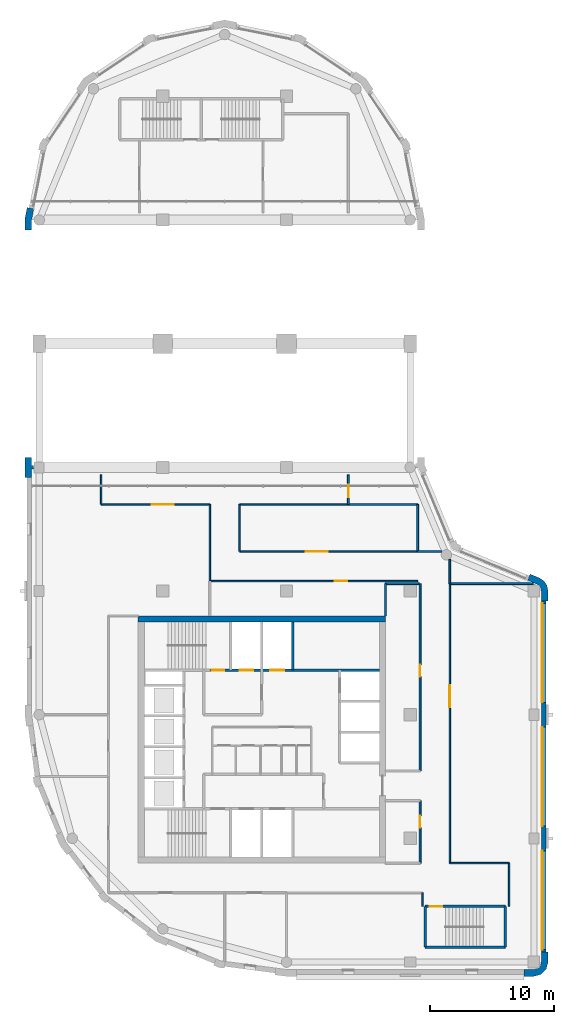
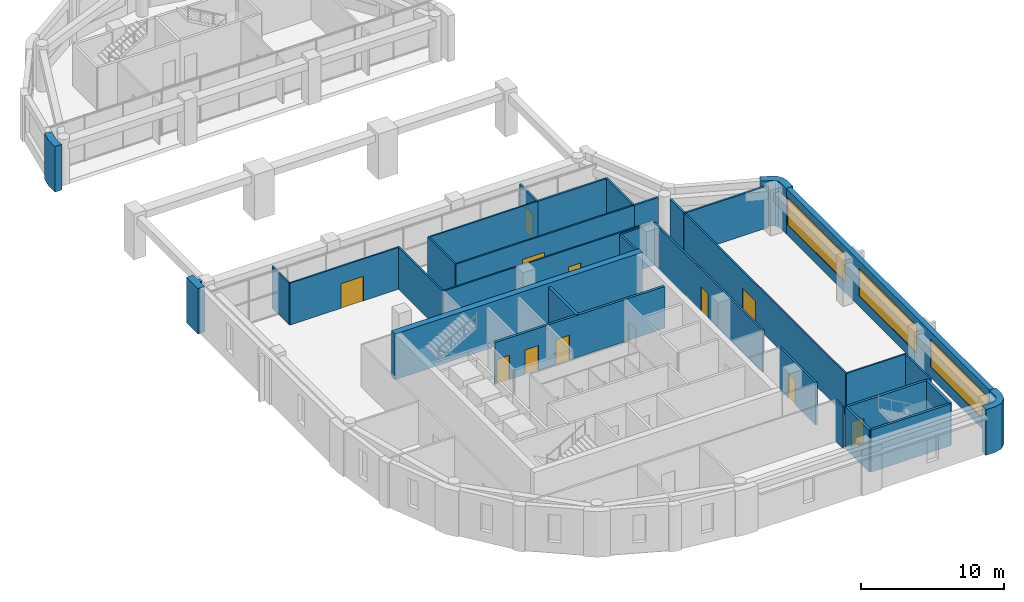
# One storey, part 7 of 11: 33 walls, 11 doors, 3 windows, 14 openings.
"""IFC4 building model written with IfcOpenShell, lengths in metres."""

import ifcopenshell
import ifcopenshell.guid

model = None  # the IFC model being written
_history = None  # IfcOwnerHistory: only IFC2X3 demands one
_inside = {}  # id of a spatial element -> (the spatial element, [elements in it])
_under = {}  # id of a project, library or spatial element -> (it, [spatial elements below it])
_declared = {}  # id of a project -> (the project, [libraries it declares])
_typed = {}  # id of a type object -> (the type object, [elements of that type])
_made_of = {}  # id of a material, layer set ... -> (it, [elements and type objects made of it])


def new_model(schema):
    """Start an empty IFC model of exactly this schema.

    Asked for "IFC4X3", IfcOpenShell would pick the latest addendum, in which some entities
    have other attributes; the version numbers below select the first issue.
    IFC2X3 requires an IfcOwnerHistory on every rooted entity: one is made here for all.
    """
    global model, _history
    if schema == "IFC4X3":
        model = ifcopenshell.file(schema_version=(4, 3, 0, 0))
    else:
        model = ifcopenshell.file(schema=schema)
    _inside.clear()
    _under.clear()
    _declared.clear()
    _typed.clear()
    _made_of.clear()
    _history = None
    if model.schema == "IFC2X3":
        org = make("IfcOrganization", Name="unknown")
        user = make(
            "IfcPersonAndOrganization",
            ThePerson=make("IfcPerson", FamilyName="unknown"),
            TheOrganization=org,
        )
        app = make(
            "IfcApplication",
            ApplicationDeveloper=org,
            Version="unknown",
            ApplicationFullName="unknown",
            ApplicationIdentifier="unknown",
        )
        _history = make(
            "IfcOwnerHistory",
            OwningUser=user,
            OwningApplication=app,
            ChangeAction="ADDED",
            CreationDate=0,
        )
    return model


def make(cls, **values):
    """One entity of the class cls with the attributes given. An attribute that is None is left unset."""
    return model.create_entity(
        cls, **{name: value for name, value in values.items() if value is not None}
    )


def rooted(cls, **values):
    """An entity with a GlobalId (a new one), such as an element, a storey or a relation."""
    return make(cls, GlobalId=ifcopenshell.guid.new(), OwnerHistory=_history, **values)


def si_unit(unit_type, name, prefix=None):
    """IfcSIUnit, for example si_unit("LENGTHUNIT", "METRE", prefix="MILLI")."""
    return make("IfcSIUnit", UnitType=unit_type, Prefix=prefix, Name=name)


def assignment(units):
    """IfcUnitAssignment: the units of a project."""
    return None if units is None else make("IfcUnitAssignment", Units=units)


def point(xyz):
    """IfcCartesianPoint."""
    return None if xyz is None else make("IfcCartesianPoint", Coordinates=xyz)


def direction(xyz):
    """IfcDirection."""
    return None if xyz is None else make("IfcDirection", DirectionRatios=xyz)


def frame(location, z_axis=None, x_axis=None):
    """IfcAxis2Placement3D, a coordinate frame: its origin and axes. An axis left out is left unset."""
    return make(
        "IfcAxis2Placement3D",
        Location=point(location),
        Axis=direction(z_axis),
        RefDirection=direction(x_axis),
    )


def frame_2d(location, x_axis=None):
    """IfcAxis2Placement2D, a coordinate frame in the plane: its origin and x axis."""
    return make(
        "IfcAxis2Placement2D", Location=point(location), RefDirection=direction(x_axis)
    )


def origin():
    """The frame at (0, 0, 0) with its axes left unset."""
    return frame((0.0, 0.0, 0.0))


def place(relative_to, where):
    """IfcLocalPlacement: puts the frame where relative to a parent placement (None: the world)."""
    return make(
        "IfcLocalPlacement", PlacementRelTo=relative_to, RelativePlacement=where
    )


def context(
    kind, dimensions, precision=None, world=None, true_north=None, identifier=None
):
    """IfcGeometricRepresentationContext, for example the 3D "Model" context."""
    return make(
        "IfcGeometricRepresentationContext",
        ContextIdentifier=identifier,
        ContextType=kind,
        CoordinateSpaceDimension=dimensions,
        Precision=precision,
        WorldCoordinateSystem=world,
        TrueNorth=true_north,
    )


def subcontext(parent, identifier, kind, view, scale=None):
    """IfcGeometricRepresentationSubContext, for example "Body" below "Model"."""
    return make(
        "IfcGeometricRepresentationSubContext",
        ContextIdentifier=identifier,
        ContextType=kind,
        ParentContext=parent,
        TargetScale=scale,
        TargetView=view,
    )


def project(units=None, contexts=None):
    """IfcProject with its units and contexts."""
    return rooted(
        "IfcProject",
        Name="project",
        RepresentationContexts=contexts,
        UnitsInContext=assignment(units),
    )


def spatial(cls, under=None, at=None, **own):
    """A site, building, storey or space (cls), placed at a placement, below another one or the project."""
    s = rooted(cls, ObjectPlacement=at, **own)
    if under is not None:
        _under.setdefault(under.id(), (under, []))[1].append(s)
    return s


def polyline(points):
    """IfcPolyline through the points."""
    return make("IfcPolyline", Points=[point(p) for p in points])


def profile(cls, at=None, kind="AREA", **sizes):
    """A parametric profile (cls). Its sizes go by their IFC names, for example OverallWidth=200.0."""
    return make(cls, ProfileType=kind, Position=at, **sizes)


def rectangle(**sizes):
    """IfcRectangleProfileDef."""
    return profile("IfcRectangleProfileDef", **sizes)


def outline(outer, holes=None, kind="AREA"):
    """IfcArbitraryClosedProfileDef: a profile drawn as a closed curve; with holes, ...WithVoids."""
    if holes is None:
        return make("IfcArbitraryClosedProfileDef", ProfileType=kind, OuterCurve=outer)
    return make(
        "IfcArbitraryProfileDefWithVoids",
        ProfileType=kind,
        OuterCurve=outer,
        InnerCurves=holes,
    )


def extrude(swept, where, along, depth):
    """IfcExtrudedAreaSolid: the profile swept, set in the frame where, extruded along a direction by depth."""
    return make(
        "IfcExtrudedAreaSolid",
        SweptArea=swept,
        Position=where,
        ExtrudedDirection=direction(along),
        Depth=depth,
    )


def shape(context_of_items, identifier, shape_type, items):
    """IfcShapeRepresentation: the items that make up one representation, for example the "Body"."""
    return make(
        "IfcShapeRepresentation",
        ContextOfItems=context_of_items,
        RepresentationIdentifier=identifier,
        RepresentationType=shape_type,
        Items=items,
    )


def material(Name=None, Category=None):
    """IfcMaterial."""
    return make("IfcMaterial", Name=Name, Category=Category)


def layer(
    of_material, thickness, ventilated=None, Name=None, Category=None, Priority=None
):
    """IfcMaterialLayer: one layer of a wall or slab, of a material (None: an air gap)."""
    return make(
        "IfcMaterialLayer",
        Material=of_material,
        LayerThickness=thickness,
        IsVentilated=ventilated,
        Name=Name,
        Category=Category,
        Priority=Priority,
    )


def layer_set(layers, Name=None):
    """IfcMaterialLayerSet."""
    return make("IfcMaterialLayerSet", MaterialLayers=layers, LayerSetName=Name)


def made_of(thing, what):
    """Note that an element or type object is made of a material, layer set ...; save() writes the relation."""
    if what is not None:
        _made_of.setdefault(what.id(), (what, []))[1].append(thing)
    return thing


def type_object(cls, material=None, **own):
    """A type object (cls), such as IfcWallType, which elements share."""
    return made_of(rooted(cls, **own), material)


def element(
    cls,
    number,
    at=None,
    inside=None,
    cuts=None,
    type_object=None,
    material=None,
    context=None,
    identifier="Body",
    shape_type=None,
    held_by="IfcProductDefinitionShape",
    body=None,
    shapes=None,
    **own,
):
    """One element of the class cls, such as IfcWall. Its Tag is "e" and its number.

    at: its placement. inside: the storey or other place that contains it. cuts: it is an
    opening in that element (IfcRelVoidsElement). A single representation is given by context,
    identifier, shape_type and body (its items); several are given by shapes. held_by: the class
    of the entity that holds the representations. save() writes the other relations.
    """
    e = rooted(cls, Tag="e%d" % number, ObjectPlacement=at, **own)
    if body is not None:
        shapes = [shape(context, identifier, shape_type, body)]
    if shapes is not None:
        e.Representation = make(held_by, Representations=shapes)
    if inside is not None:
        _inside.setdefault(inside.id(), (inside, []))[1].append(e)
    if cuts is not None:
        rooted(
            "IfcRelVoidsElement", RelatingBuildingElement=cuts, RelatedOpeningElement=e
        )
    if type_object is not None:
        _typed.setdefault(type_object.id(), (type_object, []))[1].append(e)
    return made_of(e, material)


def fill(opening, filler):
    """IfcRelFillsElement: the door or window that sits in an opening."""
    return rooted(
        "IfcRelFillsElement",
        RelatingOpeningElement=opening,
        RelatedBuildingElement=filler,
    )


def aggregate(whole, parts):
    """IfcRelAggregates: a whole, such as a stair, and the parts it consists of."""
    return rooted("IfcRelAggregates", RelatingObject=whole, RelatedObjects=parts)


def save(model, path):
    """Write the relations noted so far, then the file.

    IfcRelAggregates (storeys below a building ...), IfcRelContainedInSpatialStructure (elements
    in a storey), IfcRelDefinesByType, IfcRelAssociatesMaterial and IfcRelDeclares: one each for
    every whole, place, type object, material and project.
    """
    for whole, parts in _under.values():
        aggregate(whole, parts)
    for where, things in _inside.values():
        rooted(
            "IfcRelContainedInSpatialStructure",
            RelatedElements=things,
            RelatingStructure=where,
        )
    for kind, things in _typed.values():
        rooted("IfcRelDefinesByType", RelatedObjects=things, RelatingType=kind)
    for what, things in _made_of.values():
        rooted("IfcRelAssociatesMaterial", RelatedObjects=things, RelatingMaterial=what)
    for by, libraries in _declared.values():
        rooted("IfcRelDeclares", RelatingContext=by, RelatedDefinitions=libraries)
    model.write(path)


model = new_model("IFC4")

# Units and contexts
model_context = context("Model", 3, precision=1e-05, world=origin(), true_north=direction((0.0, 1.0)))
body_context = subcontext(model_context, "Body", "Model", "MODEL_VIEW")
ifc_project = project(units=[si_unit("LENGTHUNIT", "METRE"), si_unit("AREAUNIT", "SQUARE_METRE"), si_unit("VOLUMEUNIT", "CUBIC_METRE"), si_unit("PLANEANGLEUNIT", "RADIAN"), si_unit("MASSUNIT", "GRAM", prefix="KILO")], contexts=[model_context])

# Site, building, storey
site_placement = place(None, origin())
site = spatial("IfcSite", under=ifc_project, at=site_placement, CompositionType="ELEMENT")
building_placement = place(site_placement, origin())
building = spatial("IfcBuilding", under=site, at=building_placement, Name="Qaws Garden Tower", CompositionType="ELEMENT")
storey_placement = place(building_placement, frame((0.0, 0.0, 317.699951171875)))
storey = spatial("IfcBuildingStorey", under=building, at=storey_placement, Name="L77", CompositionType="ELEMENT", Elevation=317.699951171875)

# Walls
ifc_material_1 = material(Name="Clay facing brick masonry", Category="masonry")
ifc_layer_1 = layer(ifc_material_1, 0.550048828125)
ifc_layer_set_1 = layer_set([ifc_layer_1], Name="Clay facing brick masonry")
wall_type_1 = type_object("IfcWallType", Name="Brick corner pier 550 x 2400", PredefinedType="SOLIDWALL", material=ifc_layer_set_1)
placement = place(storey_placement, origin())
element("IfcWall", 1, at=placement, inside=storey, type_object=wall_type_1, Name="E-L77-pier-02", PredefinedType="SOLIDWALL", context=body_context, shape_type="SweptSolid", body=[
    extrude(outline(polyline([(39.199951171875, -1.0), (39.199951171875, -1.14990234375), (40.0, -1.14990234375), (40.574951171875, -0.995849609375), (40.995849609375, -0.574951171875), (41.14990234375, 0.0), (41.14990234375, 0.800048828125), (41.0, 0.800048828125), (40.60009765625, 0.800048828125), (40.60009765625, 0.0), (40.51953125, -0.300048828125), (40.300048828125, -0.51953125), (40.0, -0.60009765625), (39.199951171875, -0.60009765625), (39.199951171875, -1.0)])), origin(), (0.0, 0.0, 1.0), 3.900146484375),
])
element("IfcWall", 2, at=placement, inside=storey, type_object=wall_type_1, Name="E-L77-pier-05", PredefinedType="SOLIDWALL", context=body_context, shape_type="SweptSolid", body=[
    extrude(outline(polyline([(41.0, 29.199951171875), (41.14990234375, 29.199951171875), (41.14990234375, 30.0), (41.0625, 30.440185546875), (40.813232421875, 30.813232421875), (40.440185546875, 31.0625), (39.700927734375, 31.36865234375), (39.6435546875, 31.22998046875), (39.490478515625, 30.860595703125), (40.2294921875, 30.554443359375), (40.42431640625, 30.42431640625), (40.554443359375, 30.2294921875), (40.60009765625, 30.0), (40.60009765625, 29.199951171875), (41.0, 29.199951171875)])), origin(), (0.0, 0.0, 1.0), 3.900146484375),
])

# Wall, openings, windows
ifc_material_2 = material(Name="Clay facing brick masonry", Category="masonry")
ifc_layer_2 = layer(ifc_material_2, 0.39990234375)
ifc_layer_set_2 = layer_set([ifc_layer_2], Name="Clay facing brick masonry")
wall_type_2 = type_object("IfcWallType", Name="Brick infill wall 400", PredefinedType="SOLIDWALL", material=ifc_layer_set_2)
wall_3_placement = place(storey_placement, frame((40.800048828125, 0.800048828125, 0.0), z_axis=(0.0, 0.0, 1.0), x_axis=(0.0, 1.0, 0.0)))
wall_3 = element("IfcWall", 3, at=wall_3_placement, inside=storey, type_object=wall_type_2, Name="E-L77-infill-02", PredefinedType="SOLIDWALL", context=body_context, shape_type="SweptSolid", body=[
    extrude(rectangle(XDim=28.39990234375, YDim=0.39990234375, at=frame_2d((14.199951171875, 0.0))), origin(), (0.0, 0.0, 1.0), 3.900146484375),
])
opening_1_placement = place(wall_3_placement, frame((0.199951171875, 0.0, 0.89990234375)))
opening_1 = element("IfcOpeningElement", 4, at=opening_1_placement, cuts=wall_3, Name="Opening W01", PredefinedType="OPENING", context=body_context, shape_type="SweptSolid", body=[
    extrude(rectangle(XDim=8.0, YDim=2.35009765625, at=frame_2d((4.0, 1.175048828125))), frame((0.0, 0.2099609375, 0.0), z_axis=(0.0, -1.0, 0.0), x_axis=(1.0, 0.0, 0.0)), (0.0, 0.0, 1.0), 0.419921875),
])
opening_2_placement = place(wall_3_placement, frame((10.199951171875, 0.0, 0.89990234375)))
opening_2 = element("IfcOpeningElement", 5, at=opening_2_placement, cuts=wall_3, Name="Opening W01", PredefinedType="OPENING", context=body_context, shape_type="SweptSolid", body=[
    extrude(rectangle(XDim=8.0, YDim=2.35009765625, at=frame_2d((4.0, 1.175048828125))), frame((0.0, 0.2099609375, 0.0), z_axis=(0.0, -1.0, 0.0), x_axis=(1.0, 0.0, 0.0)), (0.0, 0.0, 1.0), 0.419921875),
])
opening_3_placement = place(wall_3_placement, frame((20.199951171875, 0.0, 0.89990234375)))
opening_3 = element("IfcOpeningElement", 6, at=opening_3_placement, cuts=wall_3, Name="Opening W01", PredefinedType="OPENING", context=body_context, shape_type="SweptSolid", body=[
    extrude(rectangle(XDim=8.0, YDim=2.35009765625, at=frame_2d((4.0, 1.175048828125))), frame((0.0, 0.2099609375, 0.0), z_axis=(0.0, -1.0, 0.0), x_axis=(1.0, 0.0, 0.0)), (0.0, 0.0, 1.0), 0.419921875),
])
ifc_material_3 = material(Name="Aluminium framed window, clear glazing", Category="aluminium")
window_type = type_object("IfcWindowType", Name="Ribbon window 8000 x 2350", PartitioningType="DOUBLE_PANEL_VERTICAL", PredefinedType="WINDOW", material=ifc_material_3)
window_1_placement = place(opening_1_placement, origin())
window_1 = element("IfcWindow", 7, at=window_1_placement, inside=storey, type_object=window_type, Name="E-L77-window-02-0", OverallHeight=2.35009765625, OverallWidth=8.0, PartitioningType="SINGLE_PANEL", PredefinedType="WINDOW", context=body_context, shape_type="SweptSolid", body=[
    extrude(rectangle(XDim=8.0, YDim=2.35009765625, at=frame_2d((4.0, 1.175048828125))), frame((0.0, 0.159912109375, 0.0), z_axis=(0.0, -1.0, 0.0), x_axis=(1.0, 0.0, 0.0)), (0.0, 0.0, 1.0), 0.06005859375),
])
fill(opening_1, window_1)
window_2_placement = place(opening_2_placement, origin())
window_2 = element("IfcWindow", 8, at=window_2_placement, inside=storey, type_object=window_type, Name="E-L77-window-03-0", OverallHeight=2.35009765625, OverallWidth=8.0, PartitioningType="SINGLE_PANEL", PredefinedType="WINDOW", context=body_context, shape_type="SweptSolid", body=[
    extrude(rectangle(XDim=8.0, YDim=2.35009765625, at=frame_2d((4.0, 1.175048828125))), frame((0.0, 0.159912109375, 0.0), z_axis=(0.0, -1.0, 0.0), x_axis=(1.0, 0.0, 0.0)), (0.0, 0.0, 1.0), 0.06005859375),
])
fill(opening_2, window_2)
window_3_placement = place(opening_3_placement, origin())
window_3 = element("IfcWindow", 9, at=window_3_placement, inside=storey, type_object=window_type, Name="E-L77-window-04-0", OverallHeight=2.35009765625, OverallWidth=8.0, PartitioningType="SINGLE_PANEL", PredefinedType="WINDOW", context=body_context, shape_type="SweptSolid", body=[
    extrude(rectangle(XDim=8.0, YDim=2.35009765625, at=frame_2d((4.0, 1.175048828125))), frame((0.0, 0.159912109375, 0.0), z_axis=(0.0, -1.0, 0.0), x_axis=(1.0, 0.0, 0.0)), (0.0, 0.0, 1.0), 0.06005859375),
])
fill(opening_3, window_3)

# Walls
ifc_material_4 = material(Name="Clay facing brick masonry", Category="masonry")
ifc_layer_3 = layer(ifc_material_4, 0.550048828125)
ifc_layer_set_3 = layer_set([ifc_layer_3], Name="Clay facing brick masonry")
wall_type_3 = type_object("IfcWallType", Name="Brick pier 550 x 1600", PredefinedType="SOLIDWALL", material=ifc_layer_set_3)
element("IfcWall", 10, at=placement, inside=storey, type_object=wall_type_3, Name="E-L77-pier-17", PredefinedType="SOLIDWALL", context=body_context, shape_type="SweptSolid", body=[
    extrude(outline(polyline([(-0.82470703125, 60.979736328125), (-0.971923828125, 61.009033203125), (-1.14990234375, 60.11328125), (-1.14990234375, 59.199951171875), (-1.0, 59.199951171875), (-0.60009765625, 59.199951171875), (-0.60009765625, 60.05908203125), (-0.432373046875, 60.901611328125), (-0.82470703125, 60.979736328125)])), origin(), (0.0, 0.0, 1.0), 3.900146484375),
])
element("IfcWall", 11, at=placement, inside=storey, type_object=wall_type_3, Name="E-L77-pier-19", PredefinedType="SOLIDWALL", context=body_context, shape_type="SweptSolid", body=[
    extrude(outline(polyline([(-0.60009765625, 39.199951171875), (-0.60009765625, 39.85009765625), (-0.449951171875, 39.85009765625), (-0.449951171875, 40.14990234375), (-0.60009765625, 40.14990234375), (-0.60009765625, 40.800048828125), (-1.0, 40.800048828125), (-1.14990234375, 40.800048828125), (-1.14990234375, 40.0), (-1.14990234375, 39.199951171875), (-1.0, 39.199951171875), (-0.60009765625, 39.199951171875)])), origin(), (0.0, 0.0, 1.0), 3.900146484375),
])
ifc_material_5 = material(Name="Concrete C60", Category="concrete")
ifc_layer_4 = layer(ifc_material_5, 0.199951171875)
ifc_layer_set_4 = layer_set([ifc_layer_4], Name="Concrete C60")
wall_type_4 = type_object("IfcWallType", Name="Core shaft wall 200 C60", PredefinedType="SHEAR", material=ifc_layer_set_4)
wall_6_placement = place(storey_placement, frame((31.199951171875, 1.199951171875, 0.0), z_axis=(0.0, 0.0, 1.0), x_axis=(1.0, 0.0, 0.0)))
element("IfcWall", 12, at=wall_6_placement, inside=storey, type_object=wall_type_4, Name="Shaft wall", PredefinedType="SHEAR", context=body_context, shape_type="SweptSolid", body=[
    extrude(rectangle(XDim=6.5, YDim=0.199951171875, at=frame_2d((3.25, 0.0))), origin(), (0.0, 0.0, 1.0), 3.580078125),
])

# Wall, opening, door
wall_7_placement = place(storey_placement, frame((31.199951171875, 4.5, 0.0), z_axis=(0.0, 0.0, 1.0), x_axis=(1.0, 0.0, 0.0)))
wall_7 = element("IfcWall", 13, at=wall_7_placement, inside=storey, type_object=wall_type_4, Name="Shaft wall", PredefinedType="SHEAR", context=body_context, shape_type="SweptSolid", body=[
    extrude(rectangle(XDim=6.5, YDim=0.199951171875, at=frame_2d((3.25, 0.0))), origin(), (0.0, 0.0, 1.0), 3.580078125),
])
opening_4_placement = place(wall_7_placement, frame((0.375, 0.0, 0.0)))
opening_4 = element("IfcOpeningElement", 14, at=opening_4_placement, cuts=wall_7, Name="Opening SD12", PredefinedType="OPENING", context=body_context, shape_type="SweptSolid", body=[
    extrude(rectangle(XDim=1.0, YDim=2.10009765625, at=frame_2d((0.5, 1.050048828125))), frame((0.0, 0.10986328125, 0.0), z_axis=(0.0, -1.0, 0.0), x_axis=(1.0, 0.0, 0.0)), (0.0, 0.0, 1.0), 0.219970703125),
])
ifc_material_6 = material(Name="Steel S235", Category="steel")
door_type_1 = type_object("IfcDoorType", Name="Stair door 1000x2100", OperationType="SINGLE_SWING_RIGHT", PredefinedType="DOOR", material=ifc_material_6)
door_1_placement = place(opening_4_placement, frame((1.0, 0.0, 0.0), z_axis=(0.0, 0.0, 1.0), x_axis=(-1.0, 0.0, 0.0)))
door_1 = element("IfcDoor", 15, at=door_1_placement, inside=storey, type_object=door_type_1, Name="Stair 5 door", OperationType="SINGLE_SWING_RIGHT", OverallHeight=2.10009765625, OverallWidth=1.0, PredefinedType="DOOR", context=body_context, shape_type="SweptSolid", body=[
    extrude(rectangle(XDim=1.0, YDim=2.10009765625, at=frame_2d((0.5, 1.050048828125))), frame((0.0, 0.02490234375, 0.0), z_axis=(0.0, -1.0, 0.0), x_axis=(1.0, 0.0, 0.0)), (0.0, 0.0, 1.0), 0.050048828125),
])
fill(opening_4, door_1)

# Wall, openings, doors
wall_8_placement = place(storey_placement, frame((13.800048828125, 23.60009765625, 0.0), z_axis=(0.0, 0.0, 1.0), x_axis=(1.0, 0.0, 0.0)))
wall_8 = element("IfcWall", 16, at=wall_8_placement, inside=storey, type_object=wall_type_4, Name="Shaft wall", PredefinedType="SHEAR", context=body_context, shape_type="SweptSolid", body=[
    extrude(rectangle(XDim=13.699951171875, YDim=0.199951171875, at=frame_2d((6.85009765625, 0.0))), origin(), (0.0, 0.0, 1.0), 3.580078125),
])
opening_5_placement = place(wall_8_placement, frame((2.39990234375, 0.0, 0.0)))
opening_5 = element("IfcOpeningElement", 17, at=opening_5_placement, cuts=wall_8, Name="Opening LD08", PredefinedType="OPENING", context=body_context, shape_type="SweptSolid", body=[
    extrude(rectangle(XDim=1.10009765625, YDim=2.10009765625, at=frame_2d((0.550048828125, 1.050048828125))), frame((0.0, 0.10986328125, 0.0), z_axis=(0.0, -1.0, 0.0), x_axis=(1.0, 0.0, 0.0)), (0.0, 0.0, 1.0), 0.219970703125),
])
opening_6_placement = place(wall_8_placement, frame((4.89990234375, 0.0, 0.0)))
opening_6 = element("IfcOpeningElement", 18, at=opening_6_placement, cuts=wall_8, Name="Opening LD09", PredefinedType="OPENING", context=body_context, shape_type="SweptSolid", body=[
    extrude(rectangle(XDim=1.10009765625, YDim=2.10009765625, at=frame_2d((0.550048828125, 1.050048828125))), frame((0.0, 0.10986328125, 0.0), z_axis=(0.0, -1.0, 0.0), x_axis=(1.0, 0.0, 0.0)), (0.0, 0.0, 1.0), 0.219970703125),
])
opening_7_placement = place(wall_8_placement, frame((0.14990234375, 0.0, 0.0)))
opening_7 = element("IfcOpeningElement", 19, at=opening_7_placement, cuts=wall_8, Name="Opening SD11", PredefinedType="OPENING", context=body_context, shape_type="SweptSolid", body=[
    extrude(rectangle(XDim=1.0, YDim=2.10009765625, at=frame_2d((0.5, 1.050048828125))), frame((0.0, 0.10986328125, 0.0), z_axis=(0.0, -1.0, 0.0), x_axis=(1.0, 0.0, 0.0)), (0.0, 0.0, 1.0), 0.219970703125),
])
ifc_material_7 = material(Name="Steel S235", Category="steel")
door_type_2 = type_object("IfcDoorType", Name="Landing door 1100x2100", OperationType="DOUBLE_DOOR_SLIDING", PredefinedType="DOOR", material=ifc_material_7)
door_2_placement = place(opening_5_placement, origin())
door_2 = element("IfcDoor", 20, at=door_2_placement, inside=storey, type_object=door_type_2, Name="Lift FF3 landing door", OperationType="DOUBLE_DOOR_SLIDING", OverallHeight=2.10009765625, OverallWidth=1.10009765625, PredefinedType="DOOR", context=body_context, shape_type="SweptSolid", body=[
    extrude(rectangle(XDim=1.10009765625, YDim=2.10009765625, at=frame_2d((0.550048828125, 1.050048828125))), frame((0.0, 0.02490234375, 0.0), z_axis=(0.0, -1.0, 0.0), x_axis=(1.0, 0.0, 0.0)), (0.0, 0.0, 1.0), 0.050048828125),
])
fill(opening_5, door_2)
door_3_placement = place(opening_6_placement, origin())
door_3 = element("IfcDoor", 21, at=door_3_placement, inside=storey, type_object=door_type_2, Name="Lift SV2 landing door", OperationType="DOUBLE_DOOR_SLIDING", OverallHeight=2.10009765625, OverallWidth=1.10009765625, PredefinedType="DOOR", context=body_context, shape_type="SweptSolid", body=[
    extrude(rectangle(XDim=1.10009765625, YDim=2.10009765625, at=frame_2d((0.550048828125, 1.050048828125))), frame((0.0, 0.02490234375, 0.0), z_axis=(0.0, -1.0, 0.0), x_axis=(1.0, 0.0, 0.0)), (0.0, 0.0, 1.0), 0.050048828125),
])
fill(opening_6, door_3)
door_4_placement = place(opening_7_placement, origin())
door_4 = element("IfcDoor", 22, at=door_4_placement, inside=storey, type_object=door_type_1, Name="Stair 4 door", OperationType="SINGLE_SWING_RIGHT", OverallHeight=2.10009765625, OverallWidth=1.0, PredefinedType="DOOR", context=body_context, shape_type="SweptSolid", body=[
    extrude(rectangle(XDim=1.0, YDim=2.10009765625, at=frame_2d((0.5, 1.050048828125))), frame((0.0, 0.02490234375, 0.0), z_axis=(0.0, -1.0, 0.0), x_axis=(1.0, 0.0, 0.0)), (0.0, 0.0, 1.0), 0.050048828125),
])
fill(opening_7, door_4)

# Walls
wall_9_placement = place(storey_placement, frame((20.5, 23.60009765625, 0.0), z_axis=(0.0, 0.0, 1.0), x_axis=(0.0, 1.0, 0.0)))
element("IfcWall", 23, at=wall_9_placement, inside=storey, type_object=wall_type_4, Name="Shaft wall", PredefinedType="SHEAR", context=body_context, shape_type="SweptSolid", body=[
    extrude(rectangle(XDim=3.89990234375, YDim=0.199951171875, at=frame_2d((1.949951171875, 0.0))), origin(), (0.0, 0.0, 1.0), 3.580078125),
])
for number, where, z_axis, x_axis, name in (
    (24, (31.199951171875, 1.199951171875, 0.0), (0.0, 0.0, 1.0), (0.0, 1.0, 0.0), "Shaft wall"),
    (25, (37.699951171875, 1.199951171875, 0.0), (0.0, 0.0, 1.0), (0.0, 1.0, 0.0), "Shaft wall"),
):
    element("IfcWall", number, at=place(storey_placement, frame(where, z_axis=z_axis, x_axis=x_axis)), inside=storey, type_object=wall_type_4, Name=name, PredefinedType="SHEAR", context=body_context, shape_type="SweptSolid", body=[
        extrude(rectangle(XDim=3.300048828125, YDim=0.199951171875, at=frame_2d((1.64990234375, 0.0))), origin(), (0.0, 0.0, 1.0), 3.580078125),
    ])
ifc_material_8 = material(Name="Concrete C60", Category="concrete")
ifc_layer_5 = layer(ifc_material_8, 0.5)
ifc_layer_set_5 = layer_set([ifc_layer_5], Name="Concrete C60")
wall_type_5 = type_object("IfcWallType", Name="Core wall 500 C60", PredefinedType="SHEAR", material=ifc_layer_set_5)
wall_10_placement = place(storey_placement, frame((28.0, 27.75, 0.0), z_axis=(0.0, 0.0, 1.0), x_axis=(-1.0, 0.0, 0.0)))
element("IfcWall", 26, at=wall_10_placement, inside=storey, type_object=wall_type_5, Name="Core wall L77 north", PredefinedType="SHEAR", context=body_context, shape_type="SweptSolid", body=[
    extrude(rectangle(XDim=20.0, YDim=0.5, at=frame_2d((10.0, 0.0))), origin(), (0.0, 0.0, 1.0), 3.900146484375),
])
ifc_material_9 = material(Name="Glass and aluminium framing", Category="aluminium")
ifc_layer_6 = layer(ifc_material_9, 0.1201171875)
ifc_layer_set_6 = layer_set([ifc_layer_6], Name="Glass and aluminium framing")
wall_type_6 = type_object("IfcWallType", Name="GLAZED PARTITION 120 EI 30", PredefinedType="PARTITIONING", material=ifc_layer_set_6)
wall_11_placement = place(storey_placement, frame((5.0, 37.0, 0.0), z_axis=(0.0, 0.0, 1.0), x_axis=(0.0, 1.0, 0.0)))
element("IfcWall", 27, at=wall_11_placement, inside=storey, type_object=wall_type_6, Name="O-L77-wall-023", PredefinedType="PARTITIONING", context=body_context, shape_type="SweptSolid", body=[
    extrude(rectangle(XDim=2.39990234375, YDim=0.1201171875, at=frame_2d((1.199951171875, 0.0))), origin(), (0.0, 0.0, 1.0), 3.580078125),
])
wall_12_placement = place(storey_placement, frame((13.800048828125, 30.800048828125, 0.0), z_axis=(0.0, 0.0, 1.0), x_axis=(0.0, 1.0, 0.0)))
element("IfcWall", 28, at=wall_12_placement, inside=storey, type_object=wall_type_6, Name="O-L77-wall-027", PredefinedType="PARTITIONING", context=body_context, shape_type="SweptSolid", body=[
    extrude(rectangle(XDim=6.199951171875, YDim=0.1201171875, at=frame_2d((3.10009765625, 0.0))), origin(), (0.0, 0.0, 1.0), 3.580078125),
])
wall_13_placement = place(storey_placement, frame((16.199951171875, 33.199951171875, 0.0), z_axis=(0.0, 0.0, 1.0), x_axis=(0.0, 1.0, 0.0)))
element("IfcWall", 29, at=wall_13_placement, inside=storey, type_object=wall_type_6, Name="O-L77-wall-028", PredefinedType="PARTITIONING", context=body_context, shape_type="SweptSolid", body=[
    extrude(rectangle(XDim=3.800048828125, YDim=0.1201171875, at=frame_2d((1.89990234375, 0.0))), origin(), (0.0, 0.0, 1.0), 3.580078125),
])
wall_14_placement = place(storey_placement, frame((31.0, 4.5, 0.0), z_axis=(0.0, 0.0, 1.0), x_axis=(0.0, 1.0, 0.0)))
element("IfcWall", 30, at=wall_14_placement, inside=storey, type_object=wall_type_6, Name="O-L77-wall-030", PredefinedType="PARTITIONING", context=body_context, shape_type="SweptSolid", body=[
    extrude(rectangle(XDim=1.10009765625, YDim=0.1201171875, at=frame_2d((0.550048828125, 0.0))), origin(), (0.0, 0.0, 1.0), 3.580078125),
])

# Wall, opening, door
wall_15_placement = place(storey_placement, frame((33.199951171875, 8.0, 0.0), z_axis=(0.0, 0.0, 1.0), x_axis=(0.0, 1.0, 0.0)))
wall_15 = element("IfcWall", 31, at=wall_15_placement, inside=storey, type_object=wall_type_6, Name="O-L77-wall-031", PredefinedType="PARTITIONING", context=body_context, shape_type="SweptSolid", body=[
    extrude(rectangle(XDim=22.60009765625, YDim=0.1201171875, at=frame_2d((11.300048828125, 0.0))), origin(), (0.0, 0.0, 1.0), 3.580078125),
])
opening_8_placement = place(wall_15_placement, frame((12.60009765625, 0.0, 0.0)))
opening_8 = element("IfcOpeningElement", 32, at=opening_8_placement, cuts=wall_15, Name="Opening C809", PredefinedType="OPENING", context=body_context, shape_type="SweptSolid", body=[
    extrude(rectangle(XDim=1.800048828125, YDim=2.10009765625, at=frame_2d((0.89990234375, 1.050048828125))), frame((0.0, 0.070068359375, 0.0), z_axis=(0.0, -1.0, 0.0), x_axis=(1.0, 0.0, 0.0)), (0.0, 0.0, 1.0), 0.14013671875),
])
ifc_material_10 = material(Name="Timber door leaf", Category="wood")
door_type_3 = type_object("IfcDoorType", Name="DOUBLE DOOR 1800 X 2100", OperationType="DOUBLE_DOOR_SINGLE_SWING", PredefinedType="DOOR", material=ifc_material_10)
door_5_placement = place(opening_8_placement, frame((1.800048828125, 0.0, 0.0), z_axis=(0.0, 0.0, 1.0), x_axis=(-1.0, 0.0, 0.0)))
door_5 = element("IfcDoor", 33, at=door_5_placement, inside=storey, type_object=door_type_3, Name="O-L77-door-009", OperationType="DOUBLE_DOOR_SINGLE_SWING", OverallHeight=2.10009765625, OverallWidth=1.800048828125, PredefinedType="DOOR", context=body_context, shape_type="SweptSolid", body=[
    extrude(rectangle(XDim=1.800048828125, YDim=2.10009765625, at=frame_2d((0.89990234375, 1.050048828125))), frame((0.0, 0.02490234375, 0.0), z_axis=(0.0, -1.0, 0.0), x_axis=(1.0, 0.0, 0.0)), (0.0, 0.0, 1.0), 0.050048828125),
])
fill(opening_8, door_5)

# Walls
wall_16_placement = place(storey_placement, frame((38.0, 4.5, 0.0), z_axis=(0.0, 0.0, 1.0), x_axis=(0.0, 1.0, 0.0)))
element("IfcWall", 34, at=wall_16_placement, inside=storey, type_object=wall_type_6, Name="O-L77-wall-032", PredefinedType="PARTITIONING", context=body_context, shape_type="SweptSolid", body=[
    extrude(rectangle(XDim=3.5, YDim=0.1201171875, at=frame_2d((1.75, 0.0))), origin(), (0.0, 0.0, 1.0), 3.580078125),
])
wall_17_placement = place(storey_placement, frame((33.199951171875, 8.0, 0.0), z_axis=(0.0, 0.0, 1.0), x_axis=(1.0, 0.0, 0.0)))
element("IfcWall", 35, at=wall_17_placement, inside=storey, type_object=wall_type_6, Name="O-L77-wall-034", PredefinedType="PARTITIONING", context=body_context, shape_type="SweptSolid", body=[
    extrude(rectangle(XDim=4.800048828125, YDim=0.1201171875, at=frame_2d((2.39990234375, 0.0))), origin(), (0.0, 0.0, 1.0), 3.580078125),
])

# Wall, opening, door
wall_18_placement = place(storey_placement, frame((13.802001953125, 30.800048828125, 0.0), z_axis=(0.0, 0.0, 1.0), x_axis=(1.0, 0.0, 0.0)))
wall_18 = element("IfcWall", 36, at=wall_18_placement, inside=storey, type_object=wall_type_6, Name="O-L77-wall-036", PredefinedType="PARTITIONING", context=body_context, shape_type="SweptSolid", body=[
    extrude(rectangle(XDim=16.798095703125, YDim=0.1201171875, at=frame_2d((8.39892578125, 0.0))), origin(), (0.0, 0.0, 1.0), 3.580078125),
])
opening_9_placement = place(wall_18_placement, frame((10.10009765625, 0.0, 0.0)))
opening_9 = element("IfcOpeningElement", 37, at=opening_9_placement, cuts=wall_18, Name="Opening C805", PredefinedType="OPENING", context=body_context, shape_type="SweptSolid", body=[
    extrude(rectangle(XDim=1.0, YDim=2.10009765625, at=frame_2d((0.5, 1.050048828125))), frame((0.0, 0.070068359375, 0.0), z_axis=(0.0, -1.0, 0.0), x_axis=(1.0, 0.0, 0.0)), (0.0, 0.0, 1.0), 0.14013671875),
])
ifc_material_11 = material(Name="Timber door leaf", Category="wood")
door_type_4 = type_object("IfcDoorType", Name="TENANCY ENTRANCE DOOR 1000 X 2100", OperationType="SINGLE_SWING_LEFT", PredefinedType="DOOR", material=ifc_material_11)
door_6_placement = place(opening_9_placement, frame((1.0, 0.0, 0.0), z_axis=(0.0, 0.0, 1.0), x_axis=(-1.0, 0.0, 0.0)))
door_6 = element("IfcDoor", 38, at=door_6_placement, inside=storey, type_object=door_type_4, Name="O-L77-door-005", OperationType="SINGLE_SWING_LEFT", OverallHeight=2.10009765625, OverallWidth=1.0, PredefinedType="DOOR", context=body_context, shape_type="SweptSolid", body=[
    extrude(rectangle(XDim=1.0, YDim=2.10009765625, at=frame_2d((0.5, 1.050048828125))), frame((0.0, 0.02490234375, 0.0), z_axis=(0.0, -1.0, 0.0), x_axis=(1.0, 0.0, 0.0)), (0.0, 0.0, 1.0), 0.050048828125),
])
fill(opening_9, door_6)

wall_19_placement = place(storey_placement, frame((16.199951171875, 33.199951171875, 0.0), z_axis=(0.0, 0.0, 1.0), x_axis=(1.0, 0.0, 0.0)))
wall_19 = element("IfcWall", 39, at=wall_19_placement, inside=storey, type_object=wall_type_6, Name="O-L77-wall-037", PredefinedType="PARTITIONING", context=body_context, shape_type="SweptSolid", body=[
    extrude(rectangle(XDim=14.400146484375, YDim=0.1201171875, at=frame_2d((7.2001953125, 0.0))), origin(), (0.0, 0.0, 1.0), 3.580078125),
])
opening_10_placement = place(wall_19_placement, frame((5.35009765625, 0.0, 0.0)))
opening_10 = element("IfcOpeningElement", 40, at=opening_10_placement, cuts=wall_19, Name="Opening C812", PredefinedType="OPENING", context=body_context, shape_type="SweptSolid", body=[
    extrude(rectangle(XDim=1.800048828125, YDim=2.10009765625, at=frame_2d((0.89990234375, 1.050048828125))), frame((0.0, 0.070068359375, 0.0), z_axis=(0.0, -1.0, 0.0), x_axis=(1.0, 0.0, 0.0)), (0.0, 0.0, 1.0), 0.14013671875),
])
door_7_placement = place(opening_10_placement, origin())
door_7 = element("IfcDoor", 41, at=door_7_placement, inside=storey, type_object=door_type_3, Name="O-L77-door-012", OperationType="DOUBLE_DOOR_SINGLE_SWING", OverallHeight=2.10009765625, OverallWidth=1.800048828125, PredefinedType="DOOR", context=body_context, shape_type="SweptSolid", body=[
    extrude(rectangle(XDim=1.800048828125, YDim=2.10009765625, at=frame_2d((0.89990234375, 1.050048828125))), frame((0.0, 0.02490234375, 0.0), z_axis=(0.0, -1.0, 0.0), x_axis=(1.0, 0.0, 0.0)), (0.0, 0.0, 1.0), 0.050048828125),
])
fill(opening_10, door_7)

wall_20_placement = place(storey_placement, frame((5.0, 37.0, 0.0), z_axis=(0.0, 0.0, 1.0), x_axis=(1.0, 0.0, 0.0)))
wall_20 = element("IfcWall", 42, at=wall_20_placement, inside=storey, type_object=wall_type_6, Name="O-L77-wall-038", PredefinedType="PARTITIONING", context=body_context, shape_type="SweptSolid", body=[
    extrude(rectangle(XDim=8.800048828125, YDim=0.1201171875, at=frame_2d((4.39990234375, 0.0))), origin(), (0.0, 0.0, 1.0), 3.580078125),
])
opening_11_placement = place(wall_20_placement, frame((4.10009765625, 0.0, 0.0)))
opening_11 = element("IfcOpeningElement", 43, at=opening_11_placement, cuts=wall_20, Name="Opening C811", PredefinedType="OPENING", context=body_context, shape_type="SweptSolid", body=[
    extrude(rectangle(XDim=1.800048828125, YDim=2.10009765625, at=frame_2d((0.89990234375, 1.050048828125))), frame((0.0, 0.070068359375, 0.0), z_axis=(0.0, -1.0, 0.0), x_axis=(1.0, 0.0, 0.0)), (0.0, 0.0, 1.0), 0.14013671875),
])
door_8_placement = place(opening_11_placement, frame((1.800048828125, 0.0, 0.0), z_axis=(0.0, 0.0, 1.0), x_axis=(-1.0, 0.0, 0.0)))
door_8 = element("IfcDoor", 44, at=door_8_placement, inside=storey, type_object=door_type_3, Name="O-L77-door-011", OperationType="DOUBLE_DOOR_SINGLE_SWING", OverallHeight=2.10009765625, OverallWidth=1.800048828125, PredefinedType="DOOR", context=body_context, shape_type="SweptSolid", body=[
    extrude(rectangle(XDim=1.800048828125, YDim=2.10009765625, at=frame_2d((0.89990234375, 1.050048828125))), frame((0.0, 0.02490234375, 0.0), z_axis=(0.0, -1.0, 0.0), x_axis=(1.0, 0.0, 0.0)), (0.0, 0.0, 1.0), 0.050048828125),
])
fill(opening_11, door_8)

# Wall
wall_21_placement = place(storey_placement, frame((16.199951171875, 37.0, 0.0), z_axis=(0.0, 0.0, 1.0), x_axis=(1.0, 0.0, 0.0)))
element("IfcWall", 45, at=wall_21_placement, inside=storey, type_object=wall_type_6, Name="O-L77-wall-039", PredefinedType="PARTITIONING", context=body_context, shape_type="SweptSolid", body=[
    extrude(rectangle(XDim=8.800048828125, YDim=0.1201171875, at=frame_2d((4.39990234375, 0.0))), origin(), (0.0, 0.0, 1.0), 3.580078125),
])

# Wall, opening, door
ifc_material_12 = material(Name="Gypsum board partition")
ifc_layer_7 = layer(ifc_material_12, 0.14990234375)
ifc_layer_set_7 = layer_set([ifc_layer_7], Name="Gypsum board partition")
wall_type_7 = type_object("IfcWallType", Name="PARTITION 150 EI 60", PredefinedType="PARTITIONING", material=ifc_layer_set_7)
wall_22_placement = place(storey_placement, frame((25.0, 37.0, 0.0), z_axis=(0.0, 0.0, 1.0), x_axis=(0.0, 1.0, 0.0)))
wall_22 = element("IfcWall", 46, at=wall_22_placement, inside=storey, type_object=wall_type_7, Name="O-L77-wall-005", PredefinedType="PARTITIONING", context=body_context, shape_type="SweptSolid", body=[
    extrude(rectangle(XDim=2.39990234375, YDim=0.14990234375, at=frame_2d((1.199951171875, 0.0))), origin(), (0.0, 0.0, 1.0), 3.580078125),
])
opening_12_placement = place(wall_22_placement, frame((0.60009765625, 0.0, 0.0)))
opening_12 = element("IfcOpeningElement", 47, at=opening_12_placement, cuts=wall_22, Name="Opening C804", PredefinedType="OPENING", context=body_context, shape_type="SweptSolid", body=[
    extrude(rectangle(XDim=1.0, YDim=2.10009765625, at=frame_2d((0.5, 1.050048828125))), frame((0.0, 0.0849609375, 0.0), z_axis=(0.0, -1.0, 0.0), x_axis=(1.0, 0.0, 0.0)), (0.0, 0.0, 1.0), 0.169921875),
])
door_9_placement = place(opening_12_placement, frame((1.0, 0.0, 0.0), z_axis=(0.0, 0.0, 1.0), x_axis=(-1.0, 0.0, 0.0)))
door_9 = element("IfcDoor", 48, at=door_9_placement, inside=storey, type_object=door_type_4, Name="O-L77-door-004", OperationType="SINGLE_SWING_RIGHT", OverallHeight=2.10009765625, OverallWidth=1.0, PredefinedType="DOOR", context=body_context, shape_type="SweptSolid", body=[
    extrude(rectangle(XDim=1.0, YDim=2.10009765625, at=frame_2d((0.5, 1.050048828125))), frame((0.0, 0.02490234375, 0.0), z_axis=(0.0, -1.0, 0.0), x_axis=(1.0, 0.0, 0.0)), (0.0, 0.0, 1.0), 0.050048828125),
])
fill(opening_12, door_9)

# Walls
wall_23_placement = place(storey_placement, frame((28.0, 28.0, 0.0), z_axis=(0.0, 0.0, 1.0), x_axis=(0.0, 1.0, 0.0)))
element("IfcWall", 49, at=wall_23_placement, inside=storey, type_object=wall_type_7, Name="O-L77-wall-007", PredefinedType="PARTITIONING", context=body_context, shape_type="SweptSolid", body=[
    extrude(rectangle(XDim=2.597900390625, YDim=0.14990234375, at=frame_2d((1.298828125, 0.0))), origin(), (0.0, 0.0, 1.0), 3.580078125),
])
wall_24_placement = place(storey_placement, frame((30.60009765625, 33.199951171875, 0.0), z_axis=(0.0, 0.0, 1.0), x_axis=(0.0, 1.0, 0.0)))
element("IfcWall", 50, at=wall_24_placement, inside=storey, type_object=wall_type_7, Name="O-L77-wall-008", PredefinedType="PARTITIONING", context=body_context, shape_type="SweptSolid", body=[
    extrude(rectangle(XDim=3.800048828125, YDim=0.14990234375, at=frame_2d((1.89990234375, 0.0))), origin(), (0.0, 0.0, 1.0), 3.580078125),
])

# Wall, opening, door
wall_25_placement = place(storey_placement, frame((30.800048828125, 8.0, 0.0), z_axis=(0.0, 0.0, 1.0), x_axis=(0.0, 1.0, 0.0)))
wall_25 = element("IfcWall", 51, at=wall_25_placement, inside=storey, type_object=wall_type_7, Name="O-L77-wall-009", PredefinedType="PARTITIONING", context=body_context, shape_type="SweptSolid", body=[
    extrude(rectangle(XDim=5.050048828125, YDim=0.14990234375, at=frame_2d((2.52490234375, 0.0))), origin(), (0.0, 0.0, 1.0), 3.580078125),
])
opening_13_placement = place(wall_25_placement, frame((2.85009765625, 0.0, 0.0)))
opening_13 = element("IfcOpeningElement", 52, at=opening_13_placement, cuts=wall_25, Name="Opening C810", PredefinedType="OPENING", context=body_context, shape_type="SweptSolid", body=[
    extrude(rectangle(XDim=1.0, YDim=2.10009765625, at=frame_2d((0.5, 1.050048828125))), frame((0.0, 0.0849609375, 0.0), z_axis=(0.0, -1.0, 0.0), x_axis=(1.0, 0.0, 0.0)), (0.0, 0.0, 1.0), 0.169921875),
])
door_10_placement = place(opening_13_placement, origin())
door_10 = element("IfcDoor", 53, at=door_10_placement, inside=storey, type_object=door_type_4, Name="O-L77-door-010", OperationType="SINGLE_SWING_RIGHT", OverallHeight=2.10009765625, OverallWidth=1.0, PredefinedType="DOOR", context=body_context, shape_type="SweptSolid", body=[
    extrude(rectangle(XDim=1.0, YDim=2.10009765625, at=frame_2d((0.5, 1.050048828125))), frame((0.0, 0.02490234375, 0.0), z_axis=(0.0, -1.0, 0.0), x_axis=(1.0, 0.0, 0.0)), (0.0, 0.0, 1.0), 0.050048828125),
])
fill(opening_13, door_10)

wall_26_placement = place(storey_placement, frame((30.800048828125, 15.449951171875, 0.0), z_axis=(0.0, 0.0, 1.0), x_axis=(0.0, 1.0, 0.0)))
wall_26 = element("IfcWall", 54, at=wall_26_placement, inside=storey, type_object=wall_type_7, Name="O-L77-wall-010", PredefinedType="PARTITIONING", context=body_context, shape_type="SweptSolid", body=[
    extrude(rectangle(XDim=15.150146484375, YDim=0.14990234375, at=frame_2d((7.5751953125, 0.0))), origin(), (0.0, 0.0, 1.0), 3.580078125),
])
opening_14_placement = place(wall_26_placement, frame((7.60009765625, 0.0, 0.0)))
opening_14 = element("IfcOpeningElement", 55, at=opening_14_placement, cuts=wall_26, Name="Opening C808", PredefinedType="OPENING", context=body_context, shape_type="SweptSolid", body=[
    extrude(rectangle(XDim=1.0, YDim=2.10009765625, at=frame_2d((0.5, 1.050048828125))), frame((0.0, 0.0849609375, 0.0), z_axis=(0.0, -1.0, 0.0), x_axis=(1.0, 0.0, 0.0)), (0.0, 0.0, 1.0), 0.169921875),
])
door_11_placement = place(opening_14_placement, origin())
door_11 = element("IfcDoor", 56, at=door_11_placement, inside=storey, type_object=door_type_4, Name="O-L77-door-008", OperationType="SINGLE_SWING_RIGHT", OverallHeight=2.10009765625, OverallWidth=1.0, PredefinedType="DOOR", context=body_context, shape_type="SweptSolid", body=[
    extrude(rectangle(XDim=1.0, YDim=2.10009765625, at=frame_2d((0.5, 1.050048828125))), frame((0.0, 0.02490234375, 0.0), z_axis=(0.0, -1.0, 0.0), x_axis=(1.0, 0.0, 0.0)), (0.0, 0.0, 1.0), 0.050048828125),
])
fill(opening_14, door_11)

# Walls
wall_27_placement = place(storey_placement, frame((33.199951171875, 30.60009765625, 0.0), z_axis=(0.0, 0.0, 1.0), x_axis=(0.0, 1.0, 0.0)))
element("IfcWall", 57, at=wall_27_placement, inside=storey, type_object=wall_type_7, Name="O-L77-wall-011", PredefinedType="PARTITIONING", context=body_context, shape_type="SweptSolid", body=[
    extrude(rectangle(XDim=1.951904296875, YDim=0.14990234375, at=frame_2d((0.97607421875, 0.0))), origin(), (0.0, 0.0, 1.0), 3.580078125),
])
wall_28_placement = place(storey_placement, frame((28.001953125, 30.60009765625, 0.0), z_axis=(0.0, 0.0, 1.0), x_axis=(1.0, 0.0, 0.0)))
element("IfcWall", 58, at=wall_28_placement, inside=storey, type_object=wall_type_7, Name="O-L77-wall-018", PredefinedType="PARTITIONING", context=body_context, shape_type="SweptSolid", body=[
    extrude(rectangle(XDim=2.72314453125, YDim=0.14990234375, at=frame_2d((1.361572265625, 0.0))), origin(), (0.0, 0.0, 1.0), 3.580078125),
])
wall_29_placement = place(storey_placement, frame((33.199951171875, 30.60009765625, 0.0), z_axis=(0.0, 0.0, 1.0), x_axis=(1.0, 0.0, 0.0)))
element("IfcWall", 59, at=wall_29_placement, inside=storey, type_object=wall_type_7, Name="O-L77-wall-019", PredefinedType="PARTITIONING", context=body_context, shape_type="SweptSolid", body=[
    extrude(rectangle(XDim=6.73828125, YDim=0.14990234375, at=frame_2d((3.369140625, 0.0))), origin(), (0.0, 0.0, 1.0), 3.580078125),
])
wall_30_placement = place(storey_placement, frame((30.60009765625, 33.199951171875, 0.0), z_axis=(0.0, 0.0, 1.0), x_axis=(1.0, 0.0, 0.0)))
element("IfcWall", 60, at=wall_30_placement, inside=storey, type_object=wall_type_7, Name="O-L77-wall-020", PredefinedType="PARTITIONING", context=body_context, shape_type="SweptSolid", body=[
    extrude(rectangle(XDim=1.951904296875, YDim=0.14990234375, at=frame_2d((0.97607421875, 0.0))), origin(), (0.0, 0.0, 1.0), 3.580078125),
])
wall_31_placement = place(storey_placement, frame((25.0, 37.0, 0.0), z_axis=(0.0, 0.0, 1.0), x_axis=(1.0, 0.0, 0.0)))
element("IfcWall", 61, at=wall_31_placement, inside=storey, type_object=wall_type_7, Name="O-L77-wall-021", PredefinedType="PARTITIONING", context=body_context, shape_type="SweptSolid", body=[
    extrude(rectangle(XDim=5.60009765625, YDim=0.14990234375, at=frame_2d((2.800048828125, 0.0))), origin(), (0.0, 0.0, 1.0), 3.580078125),
])

save(model, "model.ifc")
